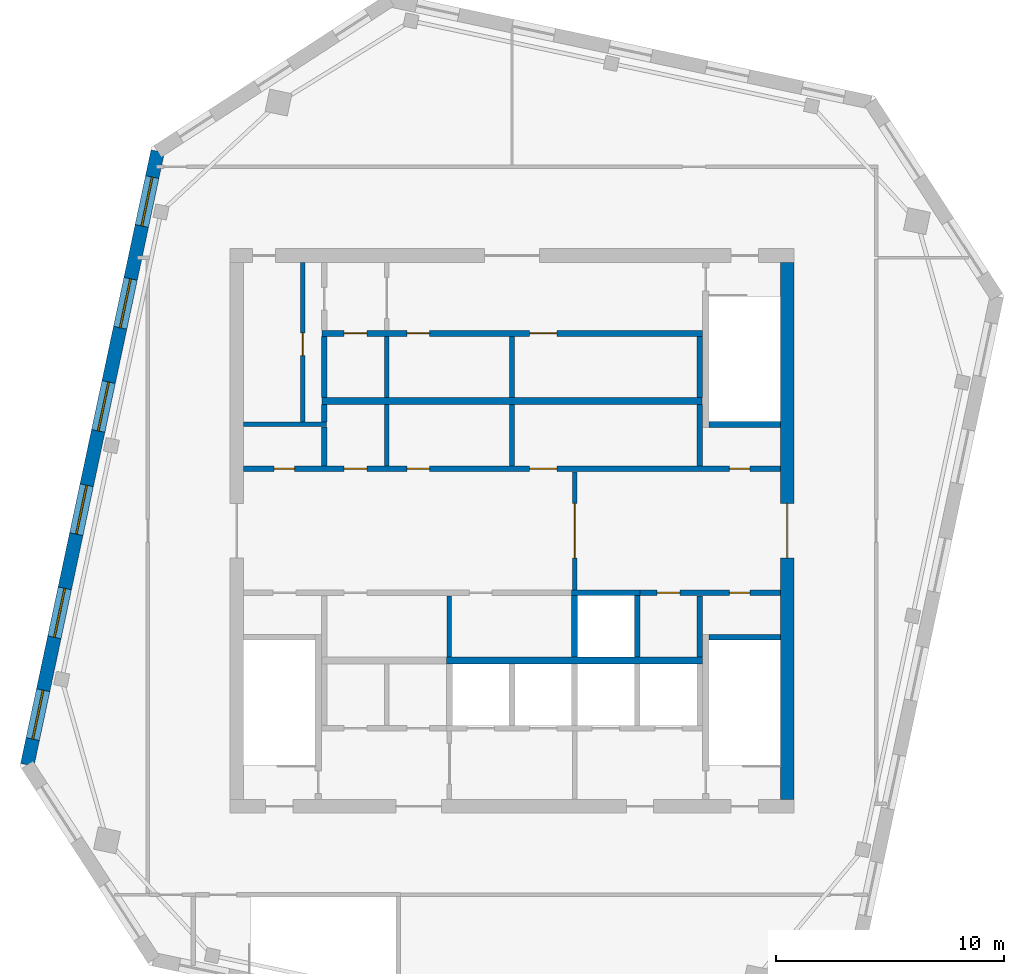
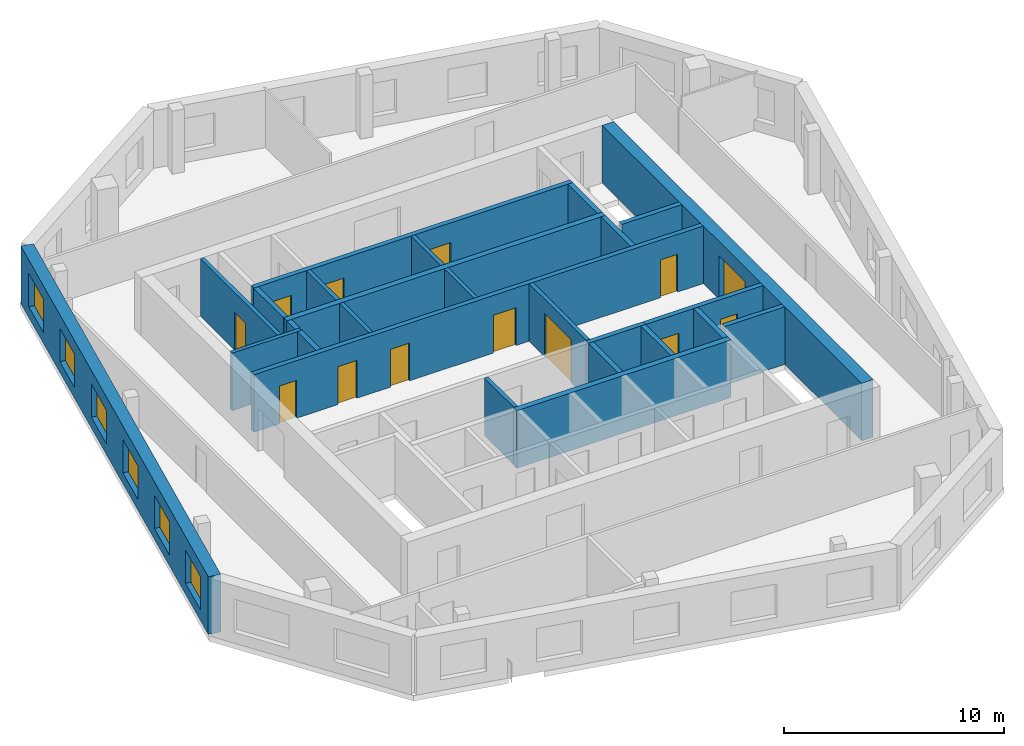
# One storey, part 3 of 6: 26 walls, 13 doors, 6 windows, 19 openings.
"""IFC4 building model written with IfcOpenShell, lengths in metres."""

from ifc_helpers import new_model, si_unit, direction, frame, frame_2d, origin, place, context, subcontext, project, spatial, rectangle, extrude, material, layer, layer_set, type_object, element, fill, save


model = new_model("IFC4")

# Units and contexts
model_context = context("Model", 3, precision=1e-05, world=origin(), true_north=direction((0.0, 1.0)))
body_context = subcontext(model_context, "Body", "Model", "MODEL_VIEW")
ifc_project = project(units=[si_unit("LENGTHUNIT", "METRE"), si_unit("AREAUNIT", "SQUARE_METRE"), si_unit("VOLUMEUNIT", "CUBIC_METRE"), si_unit("PLANEANGLEUNIT", "RADIAN"), si_unit("MASSUNIT", "GRAM", prefix="KILO")], contexts=[model_context])

# Site, building, storey
site_placement = place(None, origin())
site = spatial("IfcSite", under=ifc_project, at=site_placement, CompositionType="ELEMENT")
building_placement = place(site_placement, origin())
building = spatial("IfcBuilding", under=site, at=building_placement, Name="Dilmun Exchange Tower", CompositionType="ELEMENT")
storey_placement = place(building_placement, frame((0.0, 0.0, 373.10009765625)))
storey = spatial("IfcBuildingStorey", under=building, at=storey_placement, Name="Crown L87", CompositionType="ELEMENT", Elevation=373.10009765625)

# Wall
ifc_material_1 = material(Name="Concrete C40/50", Category="concrete")
ifc_layer_1 = layer(ifc_material_1, 0.199951171875)
ifc_layer_set_1 = layer_set([ifc_layer_1], Name="Concrete C40/50")
wall_type_1 = type_object("IfcWallType", Name="Core partition wall 200", PredefinedType="PARTITIONING", material=ifc_layer_set_1)
wall_1_placement = place(storey_placement, frame((-2.75, -5.544921875, 0.0), z_axis=(0.0, 0.0, 1.0), x_axis=(0.0, 1.0, 0.0)))
element("IfcWall", 1, at=wall_1_placement, inside=storey, type_object=wall_type_1, Name="Crown L87 core partition wall 08", PredefinedType="PARTITIONING", context=body_context, shape_type="SweptSolid", body=[
    extrude(rectangle(XDim=2.68994140625, YDim=0.199951171875, at=frame_2d((1.344970703125, 0.0))), origin(), (0.0, 0.0, 1.0), 3.199951171875),
])

# Wall, opening, door
wall_2_placement = place(storey_placement, frame((2.75, -2.594970703125, 0.0), z_axis=(0.0, 0.0, 1.0), x_axis=(0.0, 1.0, 0.0)))
wall_2 = element("IfcWall", 2, at=wall_2_placement, inside=storey, type_object=wall_type_1, Name="Crown L87 core partition wall 12", PredefinedType="PARTITIONING", context=body_context, shape_type="SweptSolid", body=[
    extrude(rectangle(XDim=5.18994140625, YDim=0.199951171875, at=frame_2d((2.594970703125, 0.0))), origin(), (0.0, 0.0, 1.0), 3.199951171875),
])
opening_1_placement = place(wall_2_placement, frame((1.39501953125, 0.0, 0.0)))
opening_1 = element("IfcOpeningElement", 3, at=opening_1_placement, cuts=wall_2, Name="Opening CD1", PredefinedType="OPENING", context=body_context, shape_type="SweptSolid", body=[
    extrude(rectangle(XDim=2.39990234375, YDim=2.39990234375, at=frame_2d((1.199951171875, 1.199951171875))), frame((0.0, 0.10986328125, 0.0), z_axis=(0.0, -1.0, 0.0), x_axis=(1.0, 0.0, 0.0)), (0.0, 0.0, 1.0), 0.219970703125),
])
ifc_material_2 = material(Name="Fire-rated steel door set", Category="steel")
door_type_1 = type_object("IfcDoorType", Name="Core lobby door 2400x2400", OperationType="DOUBLE_DOOR_DOUBLE_SWING", PredefinedType="DOOR", material=ifc_material_2)
door_1_placement = place(opening_1_placement, origin())
door_1 = element("IfcDoor", 4, at=door_1_placement, inside=storey, type_object=door_type_1, Name="Crown L87 door Lift lobby east", OperationType="DOUBLE_DOOR_DOUBLE_SWING", OverallHeight=2.39990234375, OverallWidth=2.39990234375, PredefinedType="DOOR", context=body_context, shape_type="SweptSolid", body=[
    extrude(rectangle(XDim=2.39990234375, YDim=2.39990234375, at=frame_2d((1.199951171875, 1.199951171875))), frame((0.0, 0.02490234375, 0.0), z_axis=(0.0, -1.0, 0.0), x_axis=(1.0, 0.0, 0.0)), (0.0, 0.0, 1.0), 0.050048828125),
])
fill(opening_1, door_1)

# Walls
for number, where, z_axis, x_axis, name in (
    (5, (-5.5, 2.85498046875, 0.0), (0.0, 0.0, 1.0), (0.0, 1.0, 0.0), "Crown L87 core partition wall 15"),
    (6, (0.0, 2.85498046875, 0.0), (0.0, 0.0, 1.0), (0.0, 1.0, 0.0), "Crown L87 core partition wall 16"),
):
    element("IfcWall", number, at=place(storey_placement, frame(where, z_axis=z_axis, x_axis=x_axis)), inside=storey, type_object=wall_type_1, Name=name, PredefinedType="PARTITIONING", context=body_context, shape_type="SweptSolid", body=[
        extrude(rectangle(XDim=2.68994140625, YDim=0.199951171875, at=frame_2d((1.344970703125, 0.0))), origin(), (0.0, 0.0, 1.0), 3.199951171875),
    ])
wall_3_placement = place(storey_placement, frame((-11.794921875, 4.675048828125, 0.0), z_axis=(0.0, 0.0, 1.0), x_axis=(1.0, 0.0, 0.0)))
element("IfcWall", 7, at=wall_3_placement, inside=storey, type_object=wall_type_1, Name="Crown L87 core partition wall 18", PredefinedType="PARTITIONING", context=body_context, shape_type="SweptSolid", body=[
    extrude(rectangle(XDim=3.64501953125, YDim=0.199951171875, at=frame_2d((1.822509765625, 0.0))), origin(), (0.0, 0.0, 1.0), 3.199951171875),
])

# Wall, opening, door
wall_4_placement = place(storey_placement, frame((-9.199951171875, 4.780029296875, 0.0), z_axis=(0.0, 0.0, 1.0), x_axis=(0.0, 1.0, 0.0)))
wall_4 = element("IfcWall", 8, at=wall_4_placement, inside=storey, type_object=wall_type_1, Name="Crown L87 core partition wall 19", PredefinedType="PARTITIONING", context=body_context, shape_type="SweptSolid", body=[
    extrude(rectangle(XDim=7.014892578125, YDim=0.199951171875, at=frame_2d((3.50732421875, 0.0))), origin(), (0.0, 0.0, 1.0), 3.199951171875),
])
opening_2_placement = place(wall_4_placement, frame((2.919921875, 0.0, 0.0)))
opening_2 = element("IfcOpeningElement", 9, at=opening_2_placement, cuts=wall_4, Name="Opening CD4", PredefinedType="OPENING", context=body_context, shape_type="SweptSolid", body=[
    extrude(rectangle(XDim=1.0, YDim=2.10009765625, at=frame_2d((0.5, 1.050048828125))), frame((0.0, 0.10986328125, 0.0), z_axis=(0.0, -1.0, 0.0), x_axis=(1.0, 0.0, 0.0)), (0.0, 0.0, 1.0), 0.219970703125),
])
door_type_2 = type_object("IfcDoorType", Name="Core room door 1000x2100", OperationType="SINGLE_SWING_LEFT", PredefinedType="DOOR", material=ifc_material_2)
door_2_placement = place(opening_2_placement, origin())
door_2 = element("IfcDoor", 10, at=door_2_placement, inside=storey, type_object=door_type_2, Name="Crown L87 door Fire safety store", OperationType="SINGLE_SWING_RIGHT", OverallHeight=2.10009765625, OverallWidth=1.0, PredefinedType="DOOR", context=body_context, shape_type="SweptSolid", body=[
    extrude(rectangle(XDim=1.0, YDim=2.10009765625, at=frame_2d((0.5, 1.050048828125))), frame((0.0, 0.02490234375, 0.0), z_axis=(0.0, -1.0, 0.0), x_axis=(1.0, 0.0, 0.0)), (0.0, 0.0, 1.0), 0.050048828125),
])
fill(opening_2, door_2)

# Walls
for number, where, z_axis, x_axis, name in (
    (11, (-5.5, 5.85498046875, 0.0), (0.0, 0.0, 1.0), (0.0, 1.0, 0.0), "Crown L87 core partition wall 23"),
    (12, (0.0, 5.85498046875, 0.0), (0.0, 0.0, 1.0), (0.0, 1.0, 0.0), "Crown L87 core partition wall 24"),
):
    element("IfcWall", number, at=place(storey_placement, frame(where, z_axis=z_axis, x_axis=x_axis)), inside=storey, type_object=wall_type_1, Name=name, PredefinedType="PARTITIONING", context=body_context, shape_type="SweptSolid", body=[
        extrude(rectangle(XDim=2.68994140625, YDim=0.199951171875, at=frame_2d((1.344970703125, 0.0))), origin(), (0.0, 0.0, 1.0), 3.199951171875),
    ])
ifc_layer_2 = layer(ifc_material_1, 0.25)
ifc_layer_set_2 = layer_set([ifc_layer_2], Name="Concrete C40/50")
wall_type_2 = type_object("IfcWallType", Name="Core partition wall 250", PredefinedType="PARTITIONING", material=ifc_layer_set_2)
wall_5_placement = place(storey_placement, frame((8.25, -5.544921875, 0.0), z_axis=(0.0, 0.0, 1.0), x_axis=(0.0, 1.0, 0.0)))
element("IfcWall", 13, at=wall_5_placement, inside=storey, type_object=wall_type_2, Name="Crown L87 core partition wall 09", PredefinedType="PARTITIONING", context=body_context, shape_type="SweptSolid", body=[
    extrude(rectangle(XDim=2.68994140625, YDim=0.25, at=frame_2d((1.344970703125, 0.0))), origin(), (0.0, 0.0, 1.0), 3.199951171875),
])

# Wall, openings, doors
wall_6_placement = place(storey_placement, frame((5.6298828125, -2.72509765625, 0.0), z_axis=(0.0, 0.0, 1.0), x_axis=(1.0, 0.0, 0.0)))
wall_6 = element("IfcWall", 14, at=wall_6_placement, inside=storey, type_object=wall_type_2, Name="Crown L87 core partition wall 11", PredefinedType="PARTITIONING", context=body_context, shape_type="SweptSolid", body=[
    extrude(rectangle(XDim=6.1650390625, YDim=0.25, at=frame_2d((3.08251953125, 0.0))), origin(), (0.0, 0.0, 1.0), 3.199951171875),
])
opening_3_placement = place(wall_6_placement, frame((0.7451171875, 0.0, 0.0)))
opening_3 = element("IfcOpeningElement", 15, at=opening_3_placement, cuts=wall_6, Name="Opening CD4", PredefinedType="OPENING", context=body_context, shape_type="SweptSolid", body=[
    extrude(rectangle(XDim=1.0, YDim=2.10009765625, at=frame_2d((0.5, 1.050048828125))), frame((0.0, 0.135009765625, 0.0), z_axis=(0.0, -1.0, 0.0), x_axis=(1.0, 0.0, 0.0)), (0.0, 0.0, 1.0), 0.27001953125),
])
opening_4_placement = place(wall_6_placement, frame((3.919921875, 0.0, 0.0)))
opening_4 = element("IfcOpeningElement", 16, at=opening_4_placement, cuts=wall_6, Name="Opening CD6", PredefinedType="OPENING", context=body_context, shape_type="SweptSolid", body=[
    extrude(rectangle(XDim=0.89990234375, YDim=2.10009765625, at=frame_2d((0.449951171875, 1.050048828125))), frame((0.0, 0.135009765625, 0.0), z_axis=(0.0, -1.0, 0.0), x_axis=(1.0, 0.0, 0.0)), (0.0, 0.0, 1.0), 0.27001953125),
])
door_3_placement = place(opening_3_placement, origin())
door_3 = element("IfcDoor", 17, at=door_3_placement, inside=storey, type_object=door_type_2, Name="Crown L87 door Cleaners' store", OperationType="SINGLE_SWING_RIGHT", OverallHeight=2.10009765625, OverallWidth=1.0, PredefinedType="DOOR", context=body_context, shape_type="SweptSolid", body=[
    extrude(rectangle(XDim=1.0, YDim=2.10009765625, at=frame_2d((0.5, 1.050048828125))), frame((0.0, 0.02490234375, 0.0), z_axis=(0.0, -1.0, 0.0), x_axis=(1.0, 0.0, 0.0)), (0.0, 0.0, 1.0), 0.050048828125),
])
fill(opening_3, door_3)
door_type_3 = type_object("IfcDoorType", Name="Core room door 900x2100", OperationType="SINGLE_SWING_LEFT", PredefinedType="DOOR", material=ifc_material_2)
door_4_placement = place(opening_4_placement, origin())
door_4 = element("IfcDoor", 18, at=door_4_placement, inside=storey, type_object=door_type_3, Name="Crown L87 door Comms riser", OperationType="SINGLE_SWING_RIGHT", OverallHeight=2.10009765625, OverallWidth=0.89990234375, PredefinedType="DOOR", context=body_context, shape_type="SweptSolid", body=[
    extrude(rectangle(XDim=0.89990234375, YDim=2.10009765625, at=frame_2d((0.449951171875, 1.050048828125))), frame((0.0, 0.02490234375, 0.0), z_axis=(0.0, -1.0, 0.0), x_axis=(1.0, 0.0, 0.0)), (0.0, 0.0, 1.0), 0.050048828125),
])
fill(opening_4, door_4)

wall_7_placement = place(storey_placement, frame((-11.794921875, 2.72509765625, 0.0), z_axis=(0.0, 0.0, 1.0), x_axis=(1.0, 0.0, 0.0)))
wall_7 = element("IfcWall", 19, at=wall_7_placement, inside=storey, type_object=wall_type_2, Name="Crown L87 core partition wall 13", PredefinedType="PARTITIONING", context=body_context, shape_type="SweptSolid", body=[
    extrude(rectangle(XDim=23.58984375, YDim=0.25, at=frame_2d((11.794921875, 0.0))), origin(), (0.0, 0.0, 1.0), 3.199951171875),
])
opening_5_placement = place(wall_7_placement, frame((21.344970703125, 0.0, 0.0)))
opening_5 = element("IfcOpeningElement", 20, at=opening_5_placement, cuts=wall_7, Name="Opening CD6", PredefinedType="OPENING", context=body_context, shape_type="SweptSolid", body=[
    extrude(rectangle(XDim=0.89990234375, YDim=2.10009765625, at=frame_2d((0.449951171875, 1.050048828125))), frame((0.0, 0.135009765625, 0.0), z_axis=(0.0, -1.0, 0.0), x_axis=(1.0, 0.0, 0.0)), (0.0, 0.0, 1.0), 0.27001953125),
])
opening_6_placement = place(wall_7_placement, frame((1.344970703125, 0.0, 0.0)))
opening_6 = element("IfcOpeningElement", 21, at=opening_6_placement, cuts=wall_7, Name="Opening CD6", PredefinedType="OPENING", context=body_context, shape_type="SweptSolid", body=[
    extrude(rectangle(XDim=0.89990234375, YDim=2.10009765625, at=frame_2d((0.449951171875, 1.050048828125))), frame((0.0, 0.135009765625, 0.0), z_axis=(0.0, -1.0, 0.0), x_axis=(1.0, 0.0, 0.0)), (0.0, 0.0, 1.0), 0.27001953125),
])
opening_7_placement = place(wall_7_placement, frame((4.419921875, 0.0, 0.0)))
opening_7 = element("IfcOpeningElement", 22, at=opening_7_placement, cuts=wall_7, Name="Opening CD4", PredefinedType="OPENING", context=body_context, shape_type="SweptSolid", body=[
    extrude(rectangle(XDim=1.0, YDim=2.10009765625, at=frame_2d((0.5, 1.050048828125))), frame((0.0, 0.135009765625, 0.0), z_axis=(0.0, -1.0, 0.0), x_axis=(1.0, 0.0, 0.0)), (0.0, 0.0, 1.0), 0.27001953125),
])
opening_8_placement = place(wall_7_placement, frame((7.169921875, 0.0, 0.0)))
opening_8 = element("IfcOpeningElement", 23, at=opening_8_placement, cuts=wall_7, Name="Opening CD4", PredefinedType="OPENING", context=body_context, shape_type="SweptSolid", body=[
    extrude(rectangle(XDim=1.0, YDim=2.10009765625, at=frame_2d((0.5, 1.050048828125))), frame((0.0, 0.135009765625, 0.0), z_axis=(0.0, -1.0, 0.0), x_axis=(1.0, 0.0, 0.0)), (0.0, 0.0, 1.0), 0.27001953125),
])
opening_9_placement = place(wall_7_placement, frame((12.570068359375, 0.0, 0.0)))
opening_9 = element("IfcOpeningElement", 24, at=opening_9_placement, cuts=wall_7, Name="Opening CD3", PredefinedType="OPENING", context=body_context, shape_type="SweptSolid", body=[
    extrude(rectangle(XDim=1.199951171875, YDim=2.10009765625, at=frame_2d((0.60009765625, 1.050048828125))), frame((0.0, 0.135009765625, 0.0), z_axis=(0.0, -1.0, 0.0), x_axis=(1.0, 0.0, 0.0)), (0.0, 0.0, 1.0), 0.27001953125),
])
door_5_placement = place(opening_7_placement, origin())
door_5 = element("IfcDoor", 25, at=door_5_placement, inside=storey, type_object=door_type_2, Name="Crown L87 door Server room", OperationType="SINGLE_SWING_RIGHT", OverallHeight=2.10009765625, OverallWidth=1.0, PredefinedType="DOOR", context=body_context, shape_type="SweptSolid", body=[
    extrude(rectangle(XDim=1.0, YDim=2.10009765625, at=frame_2d((0.5, 1.050048828125))), frame((0.0, 0.02490234375, 0.0), z_axis=(0.0, -1.0, 0.0), x_axis=(1.0, 0.0, 0.0)), (0.0, 0.0, 1.0), 0.050048828125),
])
fill(opening_7, door_5)
door_6_placement = place(opening_8_placement, origin())
door_6 = element("IfcDoor", 26, at=door_6_placement, inside=storey, type_object=door_type_2, Name="Crown L87 door Mechanical room", OperationType="SINGLE_SWING_RIGHT", OverallHeight=2.10009765625, OverallWidth=1.0, PredefinedType="DOOR", context=body_context, shape_type="SweptSolid", body=[
    extrude(rectangle(XDim=1.0, YDim=2.10009765625, at=frame_2d((0.5, 1.050048828125))), frame((0.0, 0.02490234375, 0.0), z_axis=(0.0, -1.0, 0.0), x_axis=(1.0, 0.0, 0.0)), (0.0, 0.0, 1.0), 0.050048828125),
])
fill(opening_8, door_6)
door_7_placement = place(opening_5_placement, origin())
door_7 = element("IfcDoor", 27, at=door_7_placement, inside=storey, type_object=door_type_3, Name="Crown L87 door Electrical riser", OperationType="SINGLE_SWING_RIGHT", OverallHeight=2.10009765625, OverallWidth=0.89990234375, PredefinedType="DOOR", context=body_context, shape_type="SweptSolid", body=[
    extrude(rectangle(XDim=0.89990234375, YDim=2.10009765625, at=frame_2d((0.449951171875, 1.050048828125))), frame((0.0, 0.02490234375, 0.0), z_axis=(0.0, -1.0, 0.0), x_axis=(1.0, 0.0, 0.0)), (0.0, 0.0, 1.0), 0.050048828125),
])
fill(opening_5, door_7)
door_8_placement = place(opening_6_placement, origin())
door_8 = element("IfcDoor", 28, at=door_8_placement, inside=storey, type_object=door_type_3, Name="Crown L87 door Plumbing riser", OperationType="SINGLE_SWING_RIGHT", OverallHeight=2.10009765625, OverallWidth=0.89990234375, PredefinedType="DOOR", context=body_context, shape_type="SweptSolid", body=[
    extrude(rectangle(XDim=0.89990234375, YDim=2.10009765625, at=frame_2d((0.449951171875, 1.050048828125))), frame((0.0, 0.02490234375, 0.0), z_axis=(0.0, -1.0, 0.0), x_axis=(1.0, 0.0, 0.0)), (0.0, 0.0, 1.0), 0.050048828125),
])
fill(opening_6, door_8)
door_type_4 = type_object("IfcDoorType", Name="Stair exit door 1200x2100", OperationType="SINGLE_SWING_LEFT", PredefinedType="DOOR", material=ifc_material_2)
door_9_placement = place(opening_9_placement, origin())
door_9 = element("IfcDoor", 29, at=door_9_placement, inside=storey, type_object=door_type_4, Name="Crown L87 door Tenant meeting suite", OperationType="SINGLE_SWING_LEFT", OverallHeight=2.10009765625, OverallWidth=1.199951171875, PredefinedType="DOOR", context=body_context, shape_type="SweptSolid", body=[
    extrude(rectangle(XDim=1.199951171875, YDim=2.10009765625, at=frame_2d((0.60009765625, 1.050048828125))), frame((0.0, 0.02490234375, 0.0), z_axis=(0.0, -1.0, 0.0), x_axis=(1.0, 0.0, 0.0)), (0.0, 0.0, 1.0), 0.050048828125),
])
fill(opening_9, door_9)

# Walls
wall_8_placement = place(storey_placement, frame((-8.25, 2.85498046875, 0.0), z_axis=(0.0, 0.0, 1.0), x_axis=(0.0, 1.0, 0.0)))
element("IfcWall", 30, at=wall_8_placement, inside=storey, type_object=wall_type_2, Name="Crown L87 core partition wall 14", PredefinedType="PARTITIONING", context=body_context, shape_type="SweptSolid", body=[
    extrude(rectangle(XDim=1.715087890625, YDim=0.25, at=frame_2d((0.857421875, 0.0))), origin(), (0.0, 0.0, 1.0), 3.199951171875),
])
wall_9_placement = place(storey_placement, frame((8.25, 2.85498046875, 0.0), z_axis=(0.0, 0.0, 1.0), x_axis=(0.0, 1.0, 0.0)))
element("IfcWall", 31, at=wall_9_placement, inside=storey, type_object=wall_type_2, Name="Crown L87 core partition wall 17", PredefinedType="PARTITIONING", context=body_context, shape_type="SweptSolid", body=[
    extrude(rectangle(XDim=2.68994140625, YDim=0.25, at=frame_2d((1.344970703125, 0.0))), origin(), (0.0, 0.0, 1.0), 3.199951171875),
])
wall_10_placement = place(storey_placement, frame((-8.25, 4.780029296875, 0.0), z_axis=(0.0, 0.0, 1.0), x_axis=(0.0, 1.0, 0.0)))
element("IfcWall", 32, at=wall_10_placement, inside=storey, type_object=wall_type_2, Name="Crown L87 core partition wall 20", PredefinedType="PARTITIONING", context=body_context, shape_type="SweptSolid", body=[
    extrude(rectangle(XDim=0.764892578125, YDim=0.25, at=frame_2d((0.38232421875, 0.0))), origin(), (0.0, 0.0, 1.0), 3.199951171875),
])
for number, where, z_axis, x_axis, name in (
    (33, (-8.25, 5.85498046875, 0.0), (0.0, 0.0, 1.0), (0.0, 1.0, 0.0), "Crown L87 core partition wall 22"),
    (34, (8.25, 5.85498046875, 0.0), (0.0, 0.0, 1.0), (0.0, 1.0, 0.0), "Crown L87 core partition wall 25"),
):
    element("IfcWall", number, at=place(storey_placement, frame(where, z_axis=z_axis, x_axis=x_axis)), inside=storey, type_object=wall_type_2, Name=name, PredefinedType="PARTITIONING", context=body_context, shape_type="SweptSolid", body=[
        extrude(rectangle(XDim=2.68994140625, YDim=0.25, at=frame_2d((1.344970703125, 0.0))), origin(), (0.0, 0.0, 1.0), 3.199951171875),
    ])

# Wall, openings, doors
wall_11_placement = place(storey_placement, frame((-8.35009765625, 8.675048828125, 0.0), z_axis=(0.0, 0.0, 1.0), x_axis=(1.0, 0.0, 0.0)))
wall_11 = element("IfcWall", 35, at=wall_11_placement, inside=storey, type_object=wall_type_2, Name="Crown L87 core partition wall 26", PredefinedType="PARTITIONING", context=body_context, shape_type="SweptSolid", body=[
    extrude(rectangle(XDim=16.72021484375, YDim=0.25, at=frame_2d((8.360107421875, 0.0))), origin(), (0.0, 0.0, 1.0), 3.199951171875),
])
opening_10_placement = place(wall_11_placement, frame((0.97509765625, 0.0, 0.0)))
opening_10 = element("IfcOpeningElement", 36, at=opening_10_placement, cuts=wall_11, Name="Opening CD4", PredefinedType="OPENING", context=body_context, shape_type="SweptSolid", body=[
    extrude(rectangle(XDim=1.0, YDim=2.10009765625, at=frame_2d((0.5, 1.050048828125))), frame((0.0, 0.135009765625, 0.0), z_axis=(0.0, -1.0, 0.0), x_axis=(1.0, 0.0, 0.0)), (0.0, 0.0, 1.0), 0.27001953125),
])
opening_11_placement = place(wall_11_placement, frame((3.72509765625, 0.0, 0.0)))
opening_11 = element("IfcOpeningElement", 37, at=opening_11_placement, cuts=wall_11, Name="Opening CD4", PredefinedType="OPENING", context=body_context, shape_type="SweptSolid", body=[
    extrude(rectangle(XDim=1.0, YDim=2.10009765625, at=frame_2d((0.5, 1.050048828125))), frame((0.0, 0.135009765625, 0.0), z_axis=(0.0, -1.0, 0.0), x_axis=(1.0, 0.0, 0.0)), (0.0, 0.0, 1.0), 0.27001953125),
])
opening_12_placement = place(wall_11_placement, frame((9.125, 0.0, 0.0)))
opening_12 = element("IfcOpeningElement", 38, at=opening_12_placement, cuts=wall_11, Name="Opening CD3", PredefinedType="OPENING", context=body_context, shape_type="SweptSolid", body=[
    extrude(rectangle(XDim=1.199951171875, YDim=2.10009765625, at=frame_2d((0.60009765625, 1.050048828125))), frame((0.0, 0.135009765625, 0.0), z_axis=(0.0, -1.0, 0.0), x_axis=(1.0, 0.0, 0.0)), (0.0, 0.0, 1.0), 0.27001953125),
])
door_10_placement = place(opening_10_placement, origin())
door_10 = element("IfcDoor", 39, at=door_10_placement, inside=storey, type_object=door_type_2, Name="Crown L87 door Records store", OperationType="SINGLE_SWING_RIGHT", OverallHeight=2.10009765625, OverallWidth=1.0, PredefinedType="DOOR", context=body_context, shape_type="SweptSolid", body=[
    extrude(rectangle(XDim=1.0, YDim=2.10009765625, at=frame_2d((0.5, 1.050048828125))), frame((0.0, 0.02490234375, 0.0), z_axis=(0.0, -1.0, 0.0), x_axis=(1.0, 0.0, 0.0)), (0.0, 0.0, 1.0), 0.050048828125),
])
fill(opening_10, door_10)
door_11_placement = place(opening_11_placement, origin())
door_11 = element("IfcDoor", 40, at=door_11_placement, inside=storey, type_object=door_type_2, Name="Crown L87 door Tenant services room", OperationType="SINGLE_SWING_RIGHT", OverallHeight=2.10009765625, OverallWidth=1.0, PredefinedType="DOOR", context=body_context, shape_type="SweptSolid", body=[
    extrude(rectangle(XDim=1.0, YDim=2.10009765625, at=frame_2d((0.5, 1.050048828125))), frame((0.0, 0.02490234375, 0.0), z_axis=(0.0, -1.0, 0.0), x_axis=(1.0, 0.0, 0.0)), (0.0, 0.0, 1.0), 0.050048828125),
])
fill(opening_11, door_11)
door_12_placement = place(opening_12_placement, origin())
door_12 = element("IfcDoor", 41, at=door_12_placement, inside=storey, type_object=door_type_4, Name="Crown L87 door Tenant amenity store", OperationType="SINGLE_SWING_LEFT", OverallHeight=2.10009765625, OverallWidth=1.199951171875, PredefinedType="DOOR", context=body_context, shape_type="SweptSolid", body=[
    extrude(rectangle(XDim=1.199951171875, YDim=2.10009765625, at=frame_2d((0.60009765625, 1.050048828125))), frame((0.0, 0.02490234375, 0.0), z_axis=(0.0, -1.0, 0.0), x_axis=(1.0, 0.0, 0.0)), (0.0, 0.0, 1.0), 0.050048828125),
])
fill(opening_12, door_12)

# Wall
ifc_layer_3 = layer(ifc_material_1, 0.300048828125)
ifc_layer_set_3 = layer_set([ifc_layer_3], Name="Concrete C40/50")
wall_type_3 = type_object("IfcWallType", Name="Core partition wall 300", PredefinedType="PARTITIONING", material=ifc_layer_set_3)
wall_12_placement = place(storey_placement, frame((-8.35009765625, 5.699951171875, 0.0), z_axis=(0.0, 0.0, 1.0), x_axis=(1.0, 0.0, 0.0)))
element("IfcWall", 42, at=wall_12_placement, inside=storey, type_object=wall_type_3, Name="Crown L87 core partition wall 21", PredefinedType="PARTITIONING", context=body_context, shape_type="SweptSolid", body=[
    extrude(rectangle(XDim=16.7001953125, YDim=0.300048828125, at=frame_2d((8.35009765625, 0.0))), origin(), (0.0, 0.0, 1.0), 3.199951171875),
])

# Wall, opening, door
ifc_material_3 = material(Name="Concrete C50/60", Category="concrete")
ifc_layer_4 = layer(ifc_material_3, 0.60009765625)
ifc_layer_set_4 = layer_set([ifc_layer_4], Name="Concrete C50/60")
wall_type_4 = type_object("IfcWallType", Name="Core shear wall 600 Concrete C50/60", PredefinedType="SHEAR", material=ifc_layer_set_4)
wall_13_placement = place(storey_placement, frame((12.10009765625, -11.800048828125, 0.0), z_axis=(0.0, 0.0, 1.0), x_axis=(0.0, 1.0, 0.0)))
wall_13 = element("IfcWall", 43, at=wall_13_placement, inside=storey, type_object=wall_type_4, Name="Crown L87 core shear wall E", PredefinedType="SHEAR", context=body_context, shape_type="SweptSolid", body=[
    extrude(rectangle(XDim=23.60009765625, YDim=0.60009765625, at=frame_2d((11.800048828125, 0.0))), origin(), (0.0, 0.0, 1.0), 3.199951171875),
])
opening_13_placement = place(wall_13_placement, frame((10.60009765625, 0.0, 0.0)))
opening_13 = element("IfcOpeningElement", 44, at=opening_13_placement, cuts=wall_13, Name="Opening CD1", PredefinedType="OPENING", context=body_context, shape_type="SweptSolid", body=[
    extrude(rectangle(XDim=2.39990234375, YDim=2.39990234375, at=frame_2d((1.199951171875, 1.199951171875))), frame((0.0, 0.31005859375, 0.0), z_axis=(0.0, -1.0, 0.0), x_axis=(1.0, 0.0, 0.0)), (0.0, 0.0, 1.0), 0.6201171875),
])
door_13_placement = place(opening_13_placement, origin())
door_13 = element("IfcDoor", 45, at=door_13_placement, inside=storey, type_object=door_type_1, Name="Crown L87 door Central lift lobby", OperationType="SINGLE_SWING_LEFT", OverallHeight=2.39990234375, OverallWidth=2.39990234375, PredefinedType="DOOR", context=body_context, shape_type="SweptSolid", body=[
    extrude(rectangle(XDim=2.39990234375, YDim=2.39990234375, at=frame_2d((1.199951171875, 1.199951171875))), frame((0.0, 0.02490234375, 0.0), z_axis=(0.0, -1.0, 0.0), x_axis=(1.0, 0.0, 0.0)), (0.0, 0.0, 1.0), 0.050048828125),
])
fill(opening_13, door_13)

# Walls
ifc_layer_5 = layer(ifc_material_1, 0.300048828125)
ifc_layer_set_5 = layer_set([ifc_layer_5], Name="Concrete C40/50")
wall_type_5 = type_object("IfcWallType", Name="Lift shaft shared wall 300", PredefinedType="SOLIDWALL", material=ifc_layer_set_5)
wall_14_placement = place(storey_placement, frame((-2.875, -5.699951171875, 0.0), z_axis=(0.0, 0.0, 1.0), x_axis=(1.0, 0.0, 0.0)))
element("IfcWall", 46, at=wall_14_placement, inside=storey, type_object=wall_type_5, Name="Crown L87 lift shaft rear wall S", PredefinedType="SOLIDWALL", context=body_context, shape_type="SweptSolid", body=[
    extrude(rectangle(XDim=11.25, YDim=0.300048828125, at=frame_2d((5.625, 0.0))), origin(), (0.0, 0.0, 1.0), 3.199951171875),
])
ifc_layer_6 = layer(ifc_material_1, 0.25)
ifc_layer_set_6 = layer_set([ifc_layer_6], Name="Concrete C40/50")
wall_type_6 = type_object("IfcWallType", Name="Lift shaft wall 250", PredefinedType="SOLIDWALL", material=ifc_layer_set_6)
wall_15_placement = place(storey_placement, frame((2.625, -2.72509765625, 0.0), z_axis=(0.0, 0.0, 1.0), x_axis=(1.0, 0.0, 0.0)))
element("IfcWall", 47, at=wall_15_placement, inside=storey, type_object=wall_type_6, Name="Crown L87 lift shaft front wall S1", PredefinedType="SOLIDWALL", context=body_context, shape_type="SweptSolid", body=[
    extrude(rectangle(XDim=3.0, YDim=0.25, at=frame_2d((1.5, 0.0))), origin(), (0.0, 0.0, 1.0), 3.199951171875),
])
for number, where, z_axis, x_axis, name in (
    (48, (2.75, -5.550048828125, 0.0), (0.0, 0.0, 1.0), (0.0, 1.0, 0.0), "Crown L87 lift shaft divider S14"),
    (49, (5.5, -5.550048828125, 0.0), (0.0, 0.0, 1.0), (0.0, 1.0, 0.0), "Crown L87 lift shaft divider S15"),
):
    element("IfcWall", number, at=place(storey_placement, frame(where, z_axis=z_axis, x_axis=x_axis)), inside=storey, type_object=wall_type_6, Name=name, PredefinedType="SOLIDWALL", context=body_context, shape_type="SweptSolid", body=[
        extrude(rectangle(XDim=2.699951171875, YDim=0.25, at=frame_2d((1.35009765625, 0.0))), origin(), (0.0, 0.0, 1.0), 3.199951171875),
    ])

# Wall, openings, windows
ifc_material_4 = material(Name="Precast concrete C50/60", Category="concrete")
ifc_layer_7 = layer(ifc_material_4, 0.60009765625)
ifc_layer_set_7 = layer_set([ifc_layer_7], Name="Precast concrete C50/60")
wall_type_7 = type_object("IfcWallType", Name="Precast stone-clad wall 600", PredefinedType="STANDARD", material=ifc_layer_set_7)
wall_16_placement = place(storey_placement, frame((-15.572509765625, 16.678955078125, 0.0), z_axis=(0.0, 0.0, 1.0), x_axis=(-0.207912773383, -0.978147370627, 0.0)))
wall_16 = element("IfcWall", 50, at=wall_16_placement, inside=storey, type_object=wall_type_7, Name="Facade wall Crown L87-05", PredefinedType="STANDARD", context=body_context, shape_type="SweptSolid", body=[
    extrude(rectangle(XDim=27.56787109375, YDim=0.60009765625, at=frame_2d((13.783935546875, 0.0))), origin(), (0.0, 0.0, 1.0), 3.199951171875),
])
opening_14_placement = place(wall_16_placement, frame((1.156005859375, 0.0, 0.60009765625)))
opening_14 = element("IfcOpeningElement", 51, at=opening_14_placement, cuts=wall_16, Name="Opening LV220-185", PredefinedType="OPENING", context=body_context, shape_type="SweptSolid", body=[
    extrude(rectangle(XDim=2.199951171875, YDim=1.85009765625, at=frame_2d((1.10009765625, 0.925048828125))), frame((0.0, 0.31005859375, 0.0), z_axis=(0.0, -1.0, 0.0), x_axis=(1.0, 0.0, 0.0)), (0.0, 0.0, 1.0), 0.6201171875),
])
opening_15_placement = place(wall_16_placement, frame((5.729736328125, 0.0, 0.60009765625)))
opening_15 = element("IfcOpeningElement", 52, at=opening_15_placement, cuts=wall_16, Name="Opening LV220-185", PredefinedType="OPENING", context=body_context, shape_type="SweptSolid", body=[
    extrude(rectangle(XDim=2.199951171875, YDim=1.85009765625, at=frame_2d((1.10009765625, 0.925048828125))), frame((0.0, 0.31005859375, 0.0), z_axis=(0.0, -1.0, 0.0), x_axis=(1.0, 0.0, 0.0)), (0.0, 0.0, 1.0), 0.6201171875),
])
opening_16_placement = place(wall_16_placement, frame((10.36572265625, 0.0, 0.60009765625)))
opening_16 = element("IfcOpeningElement", 53, at=opening_16_placement, cuts=wall_16, Name="Opening LV220-185", PredefinedType="OPENING", context=body_context, shape_type="SweptSolid", body=[
    extrude(rectangle(XDim=2.199951171875, YDim=1.85009765625, at=frame_2d((1.10009765625, 0.925048828125))), frame((0.0, 0.31005859375, 0.0), z_axis=(0.0, -1.0, 0.0), x_axis=(1.0, 0.0, 0.0)), (0.0, 0.0, 1.0), 0.6201171875),
])
opening_17_placement = place(wall_16_placement, frame((15.001953125, 0.0, 0.60009765625)))
opening_17 = element("IfcOpeningElement", 54, at=opening_17_placement, cuts=wall_16, Name="Opening LV220-185", PredefinedType="OPENING", context=body_context, shape_type="SweptSolid", body=[
    extrude(rectangle(XDim=2.199951171875, YDim=1.85009765625, at=frame_2d((1.10009765625, 0.925048828125))), frame((0.0, 0.31005859375, 0.0), z_axis=(0.0, -1.0, 0.0), x_axis=(1.0, 0.0, 0.0)), (0.0, 0.0, 1.0), 0.6201171875),
])
opening_18_placement = place(wall_16_placement, frame((19.637939453125, 0.0, 0.60009765625)))
opening_18 = element("IfcOpeningElement", 55, at=opening_18_placement, cuts=wall_16, Name="Opening LV220-185", PredefinedType="OPENING", context=body_context, shape_type="SweptSolid", body=[
    extrude(rectangle(XDim=2.199951171875, YDim=1.85009765625, at=frame_2d((1.10009765625, 0.925048828125))), frame((0.0, 0.31005859375, 0.0), z_axis=(0.0, -1.0, 0.0), x_axis=(1.0, 0.0, 0.0)), (0.0, 0.0, 1.0), 0.6201171875),
])
opening_19_placement = place(wall_16_placement, frame((24.2119140625, 0.0, 0.60009765625)))
opening_19 = element("IfcOpeningElement", 56, at=opening_19_placement, cuts=wall_16, Name="Opening LV220-185", PredefinedType="OPENING", context=body_context, shape_type="SweptSolid", body=[
    extrude(rectangle(XDim=2.199951171875, YDim=1.85009765625, at=frame_2d((1.10009765625, 0.925048828125))), frame((0.0, 0.31005859375, 0.0), z_axis=(0.0, -1.0, 0.0), x_axis=(1.0, 0.0, 0.0)), (0.0, 0.0, 1.0), 0.6201171875),
])
ifc_material_5 = material(Name="Anodised aluminium louvre blades with sand trap", Category="aluminium")
window_type = type_object("IfcWindowType", Name="Plant louvre 2200 x 1850", PartitioningType="SINGLE_PANEL", PredefinedType="USERDEFINED", material=ifc_material_5)
window_1_placement = place(opening_14_placement, origin())
window_1 = element("IfcWindow", 57, at=window_1_placement, inside=storey, type_object=window_type, Name="Plant louvre 6.1", ObjectType="LOUVRE", OverallHeight=1.85009765625, OverallWidth=2.199951171875, PartitioningType="SINGLE_PANEL", PredefinedType="USERDEFINED", context=body_context, shape_type="SweptSolid", body=[
    extrude(rectangle(XDim=2.199951171875, YDim=1.85009765625, at=frame_2d((1.10009765625, 0.925048828125))), frame((0.0, 0.030029296875, 0.0), z_axis=(0.0, -1.0, 0.0), x_axis=(1.0, 0.0, 0.0)), (0.0, 0.0, 1.0), 0.06005859375),
])
fill(opening_14, window_1)
window_2_placement = place(opening_15_placement, origin())
window_2 = element("IfcWindow", 58, at=window_2_placement, inside=storey, type_object=window_type, Name="Plant louvre 6.2", ObjectType="LOUVRE", OverallHeight=1.85009765625, OverallWidth=2.199951171875, PartitioningType="SINGLE_PANEL", PredefinedType="USERDEFINED", context=body_context, shape_type="SweptSolid", body=[
    extrude(rectangle(XDim=2.199951171875, YDim=1.85009765625, at=frame_2d((1.10009765625, 0.925048828125))), frame((0.0, 0.030029296875, 0.0), z_axis=(0.0, -1.0, 0.0), x_axis=(1.0, 0.0, 0.0)), (0.0, 0.0, 1.0), 0.06005859375),
])
fill(opening_15, window_2)
window_3_placement = place(opening_16_placement, origin())
window_3 = element("IfcWindow", 59, at=window_3_placement, inside=storey, type_object=window_type, Name="Plant louvre 6.3", ObjectType="LOUVRE", OverallHeight=1.85009765625, OverallWidth=2.199951171875, PartitioningType="SINGLE_PANEL", PredefinedType="USERDEFINED", context=body_context, shape_type="SweptSolid", body=[
    extrude(rectangle(XDim=2.199951171875, YDim=1.85009765625, at=frame_2d((1.10009765625, 0.925048828125))), frame((0.0, 0.030029296875, 0.0), z_axis=(0.0, -1.0, 0.0), x_axis=(1.0, 0.0, 0.0)), (0.0, 0.0, 1.0), 0.06005859375),
])
fill(opening_16, window_3)
window_4_placement = place(opening_17_placement, origin())
window_4 = element("IfcWindow", 60, at=window_4_placement, inside=storey, type_object=window_type, Name="Plant louvre 6.4", ObjectType="LOUVRE", OverallHeight=1.85009765625, OverallWidth=2.199951171875, PartitioningType="SINGLE_PANEL", PredefinedType="USERDEFINED", context=body_context, shape_type="SweptSolid", body=[
    extrude(rectangle(XDim=2.199951171875, YDim=1.85009765625, at=frame_2d((1.10009765625, 0.925048828125))), frame((0.0, 0.030029296875, 0.0), z_axis=(0.0, -1.0, 0.0), x_axis=(1.0, 0.0, 0.0)), (0.0, 0.0, 1.0), 0.06005859375),
])
fill(opening_17, window_4)
window_5_placement = place(opening_18_placement, origin())
window_5 = element("IfcWindow", 61, at=window_5_placement, inside=storey, type_object=window_type, Name="Plant louvre 6.5", ObjectType="LOUVRE", OverallHeight=1.85009765625, OverallWidth=2.199951171875, PartitioningType="SINGLE_PANEL", PredefinedType="USERDEFINED", context=body_context, shape_type="SweptSolid", body=[
    extrude(rectangle(XDim=2.199951171875, YDim=1.85009765625, at=frame_2d((1.10009765625, 0.925048828125))), frame((0.0, 0.030029296875, 0.0), z_axis=(0.0, -1.0, 0.0), x_axis=(1.0, 0.0, 0.0)), (0.0, 0.0, 1.0), 0.06005859375),
])
fill(opening_18, window_5)
window_6_placement = place(opening_19_placement, origin())
window_6 = element("IfcWindow", 62, at=window_6_placement, inside=storey, type_object=window_type, Name="Plant louvre 6.6", ObjectType="LOUVRE", OverallHeight=1.85009765625, OverallWidth=2.199951171875, PartitioningType="SINGLE_PANEL", PredefinedType="USERDEFINED", context=body_context, shape_type="SweptSolid", body=[
    extrude(rectangle(XDim=2.199951171875, YDim=1.85009765625, at=frame_2d((1.10009765625, 0.925048828125))), frame((0.0, 0.030029296875, 0.0), z_axis=(0.0, -1.0, 0.0), x_axis=(1.0, 0.0, 0.0)), (0.0, 0.0, 1.0), 0.06005859375),
])
fill(opening_19, window_6)

# Walls
ifc_layer_8 = layer(ifc_material_1, 0.25)
ifc_layer_set_8 = layer_set([ifc_layer_8], Name="Concrete C40/50")
wall_type_8 = type_object("IfcWallType", Name="Stair end wall 250", PredefinedType="SOLIDWALL", material=ifc_layer_set_8)
for number, where, z_axis, x_axis, name in (
    (63, (8.64990234375, 4.675048828125, 0.0), (0.0, 0.0, 1.0), (1.0, 0.0, 0.0), "Crown L87 ST1 far wall"),
    (64, (8.64990234375, -4.675048828125, 0.0), (0.0, 0.0, 1.0), (1.0, 0.0, 0.0), "Crown L87 ST3 far wall"),
):
    element("IfcWall", number, at=place(storey_placement, frame(where, z_axis=z_axis, x_axis=x_axis)), inside=storey, type_object=wall_type_8, Name=name, PredefinedType="SOLIDWALL", context=body_context, shape_type="SweptSolid", body=[
        extrude(rectangle(XDim=3.150146484375, YDim=0.25, at=frame_2d((1.5751953125, 0.0))), origin(), (0.0, 0.0, 1.0), 3.199951171875),
    ])

save(model, "model.ifc")
